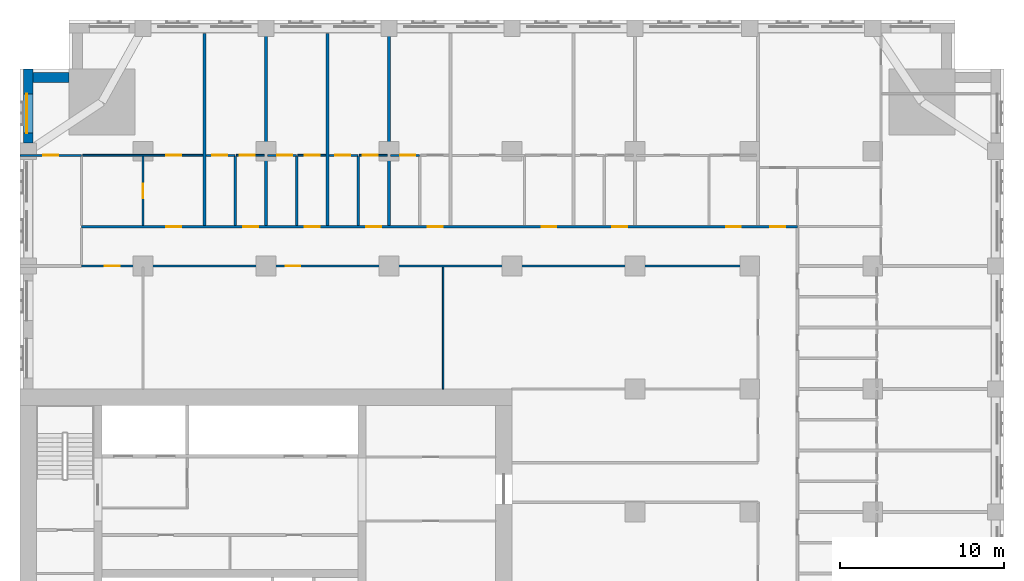
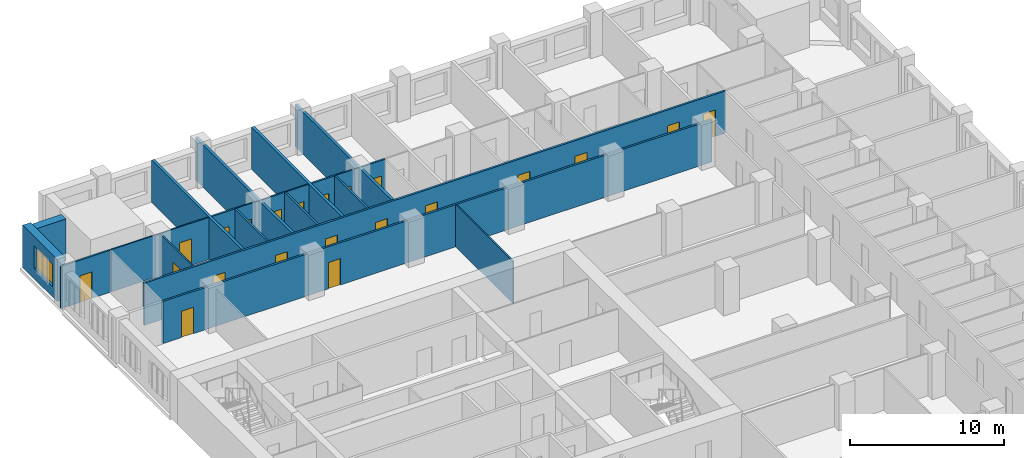
# One storey, part 9 of 15: 22 walls, 21 doors, 1 window, 22 openings.
"""IFC4 building model written with IfcOpenShell, lengths in metres."""

from ifc_helpers import new_model, si_unit, direction, frame, frame_2d, origin, place, context, subcontext, project, spatial, rectangle, extrude, material, layer, layer_set, type_object, element, fill, save


model = new_model("IFC4")

# Units and contexts
model_context = context("Model", 3, precision=1e-05, world=origin(), true_north=direction((0.0, 1.0)))
body_context = subcontext(model_context, "Body", "Model", "MODEL_VIEW")
ifc_project = project(units=[si_unit("LENGTHUNIT", "METRE"), si_unit("AREAUNIT", "SQUARE_METRE"), si_unit("VOLUMEUNIT", "CUBIC_METRE"), si_unit("PLANEANGLEUNIT", "RADIAN"), si_unit("MASSUNIT", "GRAM", prefix="KILO")], contexts=[model_context])

# Site, building, storey
site_placement = place(None, origin())
site = spatial("IfcSite", under=ifc_project, at=site_placement, CompositionType="ELEMENT")
building_placement = place(site_placement, origin())
building = spatial("IfcBuilding", under=site, at=building_placement, Name="Tamorin Gate", CompositionType="ELEMENT")
storey_placement = place(building_placement, frame((0.0, 0.0, 48.39990234375)))
storey = spatial("IfcBuildingStorey", under=building, at=storey_placement, Name="L10", CompositionType="ELEMENT", Elevation=48.39990234375)

# Wall
ifc_material_1 = material(Name="Precast concrete C40/50", Category="concrete")
ifc_layer_1 = layer(ifc_material_1, 0.60009765625)
ifc_layer_set_1 = layer_set([ifc_layer_1], Name="Precast concrete C40/50")
wall_type_1 = type_object("IfcWallType", Name="Board-marked concrete facade panel 600", PredefinedType="SOLIDWALL", material=ifc_layer_set_1)
wall_1_placement = place(storey_placement, frame((33.0, 101.5, 0.0), z_axis=(0.0, 0.0, 1.0), x_axis=(-1.0, 0.0, 0.0)))
element("IfcWall", 1, at=wall_1_placement, inside=storey, type_object=wall_type_1, Name="Facade panel", PredefinedType="SOLIDWALL", context=body_context, shape_type="SweptSolid", body=[
    extrude(rectangle(XDim=2.199951171875, YDim=0.60009765625, at=frame_2d((1.10009765625, 0.0))), origin(), (0.0, 0.0, 1.0), 3.35009765625),
])

# Wall, opening, window
wall_2_placement = place(storey_placement, frame((30.5, 102.0, 0.0), z_axis=(0.0, 0.0, 1.0), x_axis=(0.0, -1.0, 0.0)))
wall_2 = element("IfcWall", 2, at=wall_2_placement, inside=storey, type_object=wall_type_1, Name="Facade panel", PredefinedType="SOLIDWALL", context=body_context, shape_type="SweptSolid", body=[
    extrude(rectangle(XDim=4.5, YDim=0.60009765625, at=frame_2d((2.25, 0.0))), origin(), (0.0, 0.0, 1.0), 3.35009765625),
])
opening_1_placement = place(wall_2_placement, frame((1.5, 0.0, 0.800048828125)))
opening_1 = element("IfcOpeningElement", 3, at=opening_1_placement, cuts=wall_2, Name="Opening WN1", PredefinedType="OPENING", context=body_context, shape_type="SweptSolid", body=[
    extrude(rectangle(XDim=2.39990234375, YDim=1.800048828125, at=frame_2d((1.199951171875, 0.89990234375))), frame((0.0, 0.31005859375, 0.0), z_axis=(0.0, -1.0, 0.0), x_axis=(1.0, 0.0, 0.0)), (0.0, 0.0, 1.0), 0.6201171875),
])
ifc_material_2 = material(Name="Clear glass in aluminium frame", Category="aluminium")
window_type = type_object("IfcWindowType", Name="Deep-set window 2400x1800", PartitioningType="SINGLE_PANEL", PredefinedType="WINDOW", material=ifc_material_2)
window_placement = place(opening_1_placement, origin())
window = element("IfcWindow", 4, at=window_placement, inside=storey, type_object=window_type, Name="Deep-set window", OverallHeight=1.800048828125, OverallWidth=2.39990234375, PartitioningType="SINGLE_PANEL", PredefinedType="WINDOW", context=body_context, shape_type="SweptSolid", body=[
    extrude(rectangle(XDim=2.39990234375, YDim=1.800048828125, at=frame_2d((1.199951171875, 0.89990234375))), frame((0.0, -0.070068359375, 0.0), z_axis=(0.0, -1.0, 0.0), x_axis=(1.0, 0.0, 0.0)), (0.0, 0.0, 1.0), 0.06005859375),
])
fill(opening_1, window)

# Wall, openings, doors
ifc_material_3 = material(Name="Gypsum board partition")
ifc_layer_2 = layer(ifc_material_3, 0.14990234375)
ifc_layer_set_2 = layer_set([ifc_layer_2], Name="Corridor wall 150")
wall_type_2 = type_object("IfcWallType", Name="Corridor wall 150", PredefinedType="PARTITIONING", material=ifc_layer_set_2)
wall_3_placement = place(storey_placement, frame((33.75, 90.0, 0.0), z_axis=(0.0, 0.0, 1.0), x_axis=(1.0, 0.0, 0.0)))
wall_3 = element("IfcWall", 5, at=wall_3_placement, inside=storey, type_object=wall_type_2, Name="Corridor wall 150", PredefinedType="PARTITIONING", context=body_context, shape_type="SweptSolid", body=[
    extrude(rectangle(XDim=41.25, YDim=0.14990234375, at=frame_2d((20.625, 0.0))), origin(), (0.0, 0.0, 1.0), 3.35009765625),
])
opening_2_placement = place(wall_3_placement, frame((1.425048828125, 0.0, 0.0)))
opening_2 = element("IfcOpeningElement", 6, at=opening_2_placement, cuts=wall_3, Name="Opening DH1097", PredefinedType="OPENING", context=body_context, shape_type="SweptSolid", body=[
    extrude(rectangle(XDim=0.89990234375, YDim=2.10009765625, at=frame_2d((0.449951171875, 1.050048828125))), frame((0.0, 0.0849609375, 0.0), z_axis=(0.0, -1.0, 0.0), x_axis=(1.0, 0.0, 0.0)), (0.0, 0.0, 1.0), 0.169921875),
])
opening_3_placement = place(wall_3_placement, frame((12.449951171875, 0.0, 0.0)))
opening_3 = element("IfcOpeningElement", 7, at=opening_3_placement, cuts=wall_3, Name="Opening DH1098", PredefinedType="OPENING", context=body_context, shape_type="SweptSolid", body=[
    extrude(rectangle(XDim=0.89990234375, YDim=2.10009765625, at=frame_2d((0.449951171875, 1.050048828125))), frame((0.0, 0.0849609375, 0.0), z_axis=(0.0, -1.0, 0.0), x_axis=(1.0, 0.0, 0.0)), (0.0, 0.0, 1.0), 0.169921875),
])
ifc_material_4 = material(Name="Timber door leaf", Category="wood")
door_type_1 = type_object("IfcDoorType", Name="Door 900 x 2100 FD30S", OperationType="NOTDEFINED", PredefinedType="DOOR", material=ifc_material_4)
door_1_placement = place(opening_2_placement, origin())
door_1 = element("IfcDoor", 8, at=door_1_placement, inside=storey, type_object=door_type_1, Name="Door DH1097", OperationType="SINGLE_SWING_RIGHT", OverallHeight=2.10009765625, OverallWidth=0.89990234375, PredefinedType="DOOR", context=body_context, shape_type="SweptSolid", body=[
    extrude(rectangle(XDim=0.89990234375, YDim=2.10009765625, at=frame_2d((0.449951171875, 1.050048828125))), frame((0.0, 0.02490234375, 0.0), z_axis=(0.0, -1.0, 0.0), x_axis=(1.0, 0.0, 0.0)), (0.0, 0.0, 1.0), 0.050048828125),
])
fill(opening_2, door_1)
door_2_placement = place(opening_3_placement, origin())
door_2 = element("IfcDoor", 9, at=door_2_placement, inside=storey, type_object=door_type_1, Name="Door DH1098", OperationType="SINGLE_SWING_RIGHT", OverallHeight=2.10009765625, OverallWidth=0.89990234375, PredefinedType="DOOR", context=body_context, shape_type="SweptSolid", body=[
    extrude(rectangle(XDim=0.89990234375, YDim=2.10009765625, at=frame_2d((0.449951171875, 1.050048828125))), frame((0.0, 0.02490234375, 0.0), z_axis=(0.0, -1.0, 0.0), x_axis=(1.0, 0.0, 0.0)), (0.0, 0.0, 1.0), 0.050048828125),
])
fill(opening_3, door_2)

wall_4_placement = place(storey_placement, frame((33.75, 92.39990234375, 0.0), z_axis=(0.0, 0.0, 1.0), x_axis=(1.0, 0.0, 0.0)))
wall_4 = element("IfcWall", 10, at=wall_4_placement, inside=storey, type_object=wall_type_2, Name="Corridor wall 150", PredefinedType="PARTITIONING", context=body_context, shape_type="SweptSolid", body=[
    extrude(rectangle(XDim=43.64990234375, YDim=0.14990234375, at=frame_2d((21.824951171875, 0.0))), origin(), (0.0, 0.0, 1.0), 3.35009765625),
])
opening_4_placement = place(wall_4_placement, frame((5.175048828125, 0.0, 0.0)))
opening_4 = element("IfcOpeningElement", 11, at=opening_4_placement, cuts=wall_4, Name="Opening DH1028", PredefinedType="OPENING", context=body_context, shape_type="SweptSolid", body=[
    extrude(rectangle(XDim=0.89990234375, YDim=2.10009765625, at=frame_2d((0.449951171875, 1.050048828125))), frame((0.0, 0.0849609375, 0.0), z_axis=(0.0, -1.0, 0.0), x_axis=(1.0, 0.0, 0.0)), (0.0, 0.0, 1.0), 0.169921875),
])
opening_5_placement = place(wall_4_placement, frame((9.862548828125, 0.0, 0.0)))
opening_5 = element("IfcOpeningElement", 12, at=opening_5_placement, cuts=wall_4, Name="Opening DH1031", PredefinedType="OPENING", context=body_context, shape_type="SweptSolid", body=[
    extrude(rectangle(XDim=0.89990234375, YDim=2.10009765625, at=frame_2d((0.449951171875, 1.050048828125))), frame((0.0, 0.0849609375, 0.0), z_axis=(0.0, -1.0, 0.0), x_axis=(1.0, 0.0, 0.0)), (0.0, 0.0, 1.0), 0.169921875),
])
opening_6_placement = place(wall_4_placement, frame((13.612548828125, 0.0, 0.0)))
opening_6 = element("IfcOpeningElement", 13, at=opening_6_placement, cuts=wall_4, Name="Opening DH1034", PredefinedType="OPENING", context=body_context, shape_type="SweptSolid", body=[
    extrude(rectangle(XDim=0.89990234375, YDim=2.10009765625, at=frame_2d((0.449951171875, 1.050048828125))), frame((0.0, 0.0849609375, 0.0), z_axis=(0.0, -1.0, 0.0), x_axis=(1.0, 0.0, 0.0)), (0.0, 0.0, 1.0), 0.169921875),
])
opening_7_placement = place(wall_4_placement, frame((17.362548828125, 0.0, 0.0)))
opening_7 = element("IfcOpeningElement", 14, at=opening_7_placement, cuts=wall_4, Name="Opening DH1037", PredefinedType="OPENING", context=body_context, shape_type="SweptSolid", body=[
    extrude(rectangle(XDim=0.89990234375, YDim=2.10009765625, at=frame_2d((0.449951171875, 1.050048828125))), frame((0.0, 0.0849609375, 0.0), z_axis=(0.0, -1.0, 0.0), x_axis=(1.0, 0.0, 0.0)), (0.0, 0.0, 1.0), 0.169921875),
])
opening_8_placement = place(wall_4_placement, frame((21.112548828125, 0.0, 0.0)))
opening_8 = element("IfcOpeningElement", 15, at=opening_8_placement, cuts=wall_4, Name="Opening DH1040", PredefinedType="OPENING", context=body_context, shape_type="SweptSolid", body=[
    extrude(rectangle(XDim=0.89990234375, YDim=2.10009765625, at=frame_2d((0.449951171875, 1.050048828125))), frame((0.0, 0.0849609375, 0.0), z_axis=(0.0, -1.0, 0.0), x_axis=(1.0, 0.0, 0.0)), (0.0, 0.0, 1.0), 0.169921875),
])
opening_9_placement = place(wall_4_placement, frame((28.050048828125, 0.0, 0.0)))
opening_9 = element("IfcOpeningElement", 16, at=opening_9_placement, cuts=wall_4, Name="Opening DH1043", PredefinedType="OPENING", context=body_context, shape_type="SweptSolid", body=[
    extrude(rectangle(XDim=0.89990234375, YDim=2.10009765625, at=frame_2d((0.449951171875, 1.050048828125))), frame((0.0, 0.0849609375, 0.0), z_axis=(0.0, -1.0, 0.0), x_axis=(1.0, 0.0, 0.0)), (0.0, 0.0, 1.0), 0.169921875),
])
opening_10_placement = place(wall_4_placement, frame((32.362548828125, 0.0, 0.0)))
opening_10 = element("IfcOpeningElement", 17, at=opening_10_placement, cuts=wall_4, Name="Opening DH1046", PredefinedType="OPENING", context=body_context, shape_type="SweptSolid", body=[
    extrude(rectangle(XDim=0.89990234375, YDim=2.10009765625, at=frame_2d((0.449951171875, 1.050048828125))), frame((0.0, 0.0849609375, 0.0), z_axis=(0.0, -1.0, 0.0), x_axis=(1.0, 0.0, 0.0)), (0.0, 0.0, 1.0), 0.169921875),
])
opening_11_placement = place(wall_4_placement, frame((39.300048828125, 0.0, 0.0)))
opening_11 = element("IfcOpeningElement", 18, at=opening_11_placement, cuts=wall_4, Name="Opening DH1049", PredefinedType="OPENING", context=body_context, shape_type="SweptSolid", body=[
    extrude(rectangle(XDim=0.89990234375, YDim=2.10009765625, at=frame_2d((0.449951171875, 1.050048828125))), frame((0.0, 0.0849609375, 0.0), z_axis=(0.0, -1.0, 0.0), x_axis=(1.0, 0.0, 0.0)), (0.0, 0.0, 1.0), 0.169921875),
])
opening_12_placement = place(wall_4_placement, frame((42.0, 0.0, 0.0)))
opening_12 = element("IfcOpeningElement", 19, at=opening_12_placement, cuts=wall_4, Name="Opening DH1087", PredefinedType="OPENING", context=body_context, shape_type="SweptSolid", body=[
    extrude(rectangle(XDim=0.89990234375, YDim=2.10009765625, at=frame_2d((0.449951171875, 1.050048828125))), frame((0.0, 0.0849609375, 0.0), z_axis=(0.0, -1.0, 0.0), x_axis=(1.0, 0.0, 0.0)), (0.0, 0.0, 1.0), 0.169921875),
])
door_3_placement = place(opening_4_placement, origin())
door_3 = element("IfcDoor", 20, at=door_3_placement, inside=storey, type_object=door_type_1, Name="Door DH1028", OperationType="SINGLE_SWING_LEFT", OverallHeight=2.10009765625, OverallWidth=0.89990234375, PredefinedType="DOOR", context=body_context, shape_type="SweptSolid", body=[
    extrude(rectangle(XDim=0.89990234375, YDim=2.10009765625, at=frame_2d((0.449951171875, 1.050048828125))), frame((0.0, 0.02490234375, 0.0), z_axis=(0.0, -1.0, 0.0), x_axis=(1.0, 0.0, 0.0)), (0.0, 0.0, 1.0), 0.050048828125),
])
fill(opening_4, door_3)
door_4_placement = place(opening_5_placement, origin())
door_4 = element("IfcDoor", 21, at=door_4_placement, inside=storey, type_object=door_type_1, Name="Door DH1031", OperationType="SINGLE_SWING_LEFT", OverallHeight=2.10009765625, OverallWidth=0.89990234375, PredefinedType="DOOR", context=body_context, shape_type="SweptSolid", body=[
    extrude(rectangle(XDim=0.89990234375, YDim=2.10009765625, at=frame_2d((0.449951171875, 1.050048828125))), frame((0.0, 0.02490234375, 0.0), z_axis=(0.0, -1.0, 0.0), x_axis=(1.0, 0.0, 0.0)), (0.0, 0.0, 1.0), 0.050048828125),
])
fill(opening_5, door_4)
door_5_placement = place(opening_6_placement, origin())
door_5 = element("IfcDoor", 22, at=door_5_placement, inside=storey, type_object=door_type_1, Name="Door DH1034", OperationType="SINGLE_SWING_LEFT", OverallHeight=2.10009765625, OverallWidth=0.89990234375, PredefinedType="DOOR", context=body_context, shape_type="SweptSolid", body=[
    extrude(rectangle(XDim=0.89990234375, YDim=2.10009765625, at=frame_2d((0.449951171875, 1.050048828125))), frame((0.0, 0.02490234375, 0.0), z_axis=(0.0, -1.0, 0.0), x_axis=(1.0, 0.0, 0.0)), (0.0, 0.0, 1.0), 0.050048828125),
])
fill(opening_6, door_5)
door_6_placement = place(opening_7_placement, origin())
door_6 = element("IfcDoor", 23, at=door_6_placement, inside=storey, type_object=door_type_1, Name="Door DH1037", OperationType="SINGLE_SWING_LEFT", OverallHeight=2.10009765625, OverallWidth=0.89990234375, PredefinedType="DOOR", context=body_context, shape_type="SweptSolid", body=[
    extrude(rectangle(XDim=0.89990234375, YDim=2.10009765625, at=frame_2d((0.449951171875, 1.050048828125))), frame((0.0, 0.02490234375, 0.0), z_axis=(0.0, -1.0, 0.0), x_axis=(1.0, 0.0, 0.0)), (0.0, 0.0, 1.0), 0.050048828125),
])
fill(opening_7, door_6)
door_7_placement = place(opening_8_placement, origin())
door_7 = element("IfcDoor", 24, at=door_7_placement, inside=storey, type_object=door_type_1, Name="Door DH1040", OperationType="SINGLE_SWING_LEFT", OverallHeight=2.10009765625, OverallWidth=0.89990234375, PredefinedType="DOOR", context=body_context, shape_type="SweptSolid", body=[
    extrude(rectangle(XDim=0.89990234375, YDim=2.10009765625, at=frame_2d((0.449951171875, 1.050048828125))), frame((0.0, 0.02490234375, 0.0), z_axis=(0.0, -1.0, 0.0), x_axis=(1.0, 0.0, 0.0)), (0.0, 0.0, 1.0), 0.050048828125),
])
fill(opening_8, door_7)
door_8_placement = place(opening_9_placement, origin())
door_8 = element("IfcDoor", 25, at=door_8_placement, inside=storey, type_object=door_type_1, Name="Door DH1043", OperationType="SINGLE_SWING_LEFT", OverallHeight=2.10009765625, OverallWidth=0.89990234375, PredefinedType="DOOR", context=body_context, shape_type="SweptSolid", body=[
    extrude(rectangle(XDim=0.89990234375, YDim=2.10009765625, at=frame_2d((0.449951171875, 1.050048828125))), frame((0.0, 0.02490234375, 0.0), z_axis=(0.0, -1.0, 0.0), x_axis=(1.0, 0.0, 0.0)), (0.0, 0.0, 1.0), 0.050048828125),
])
fill(opening_9, door_8)
door_9_placement = place(opening_10_placement, origin())
door_9 = element("IfcDoor", 26, at=door_9_placement, inside=storey, type_object=door_type_1, Name="Door DH1046", OperationType="SINGLE_SWING_LEFT", OverallHeight=2.10009765625, OverallWidth=0.89990234375, PredefinedType="DOOR", context=body_context, shape_type="SweptSolid", body=[
    extrude(rectangle(XDim=0.89990234375, YDim=2.10009765625, at=frame_2d((0.449951171875, 1.050048828125))), frame((0.0, 0.02490234375, 0.0), z_axis=(0.0, -1.0, 0.0), x_axis=(1.0, 0.0, 0.0)), (0.0, 0.0, 1.0), 0.050048828125),
])
fill(opening_10, door_9)
door_10_placement = place(opening_11_placement, origin())
door_10 = element("IfcDoor", 27, at=door_10_placement, inside=storey, type_object=door_type_1, Name="Door DH1049", OperationType="SINGLE_SWING_LEFT", OverallHeight=2.10009765625, OverallWidth=0.89990234375, PredefinedType="DOOR", context=body_context, shape_type="SweptSolid", body=[
    extrude(rectangle(XDim=0.89990234375, YDim=2.10009765625, at=frame_2d((0.449951171875, 1.050048828125))), frame((0.0, 0.02490234375, 0.0), z_axis=(0.0, -1.0, 0.0), x_axis=(1.0, 0.0, 0.0)), (0.0, 0.0, 1.0), 0.050048828125),
])
fill(opening_11, door_10)
door_11_placement = place(opening_12_placement, origin())
door_11 = element("IfcDoor", 28, at=door_11_placement, inside=storey, type_object=door_type_1, Name="Door DH1087", OperationType="SINGLE_SWING_RIGHT", OverallHeight=2.10009765625, OverallWidth=0.89990234375, PredefinedType="DOOR", context=body_context, shape_type="SweptSolid", body=[
    extrude(rectangle(XDim=0.89990234375, YDim=2.10009765625, at=frame_2d((0.449951171875, 1.050048828125))), frame((0.0, 0.02490234375, 0.0), z_axis=(0.0, -1.0, 0.0), x_axis=(1.0, 0.0, 0.0)), (0.0, 0.0, 1.0), 0.050048828125),
])
fill(opening_12, door_11)

# Walls
ifc_layer_3 = layer(ifc_material_3, 0.199951171875)
ifc_layer_set_3 = layer_set([ifc_layer_3], Name="Demising wall 200")
wall_type_3 = type_object("IfcWallType", Name="Demising wall 200", PredefinedType="PARTITIONING", material=ifc_layer_set_3)
wall_5_placement = place(storey_placement, frame((41.25, 92.47509765625, 0.0), z_axis=(0.0, 0.0, 1.0), x_axis=(0.0, 1.0, 0.0)))
element("IfcWall", 29, at=wall_5_placement, inside=storey, type_object=wall_type_3, Name="Demising wall 200", PredefinedType="PARTITIONING", context=body_context, shape_type="SweptSolid", body=[
    extrude(rectangle(XDim=11.71484375, YDim=0.199951171875, at=frame_2d((5.857421875, 0.0))), origin(), (0.0, 0.0, 1.0), 3.35009765625),
])
wall_6_placement = place(storey_placement, frame((45.0, 92.47509765625, 0.0), z_axis=(0.0, 0.0, 1.0), x_axis=(0.0, 1.0, 0.0)))
element("IfcWall", 30, at=wall_6_placement, inside=storey, type_object=wall_type_3, Name="Demising wall 200", PredefinedType="PARTITIONING", context=body_context, shape_type="SweptSolid", body=[
    extrude(rectangle(XDim=12.52490234375, YDim=0.199951171875, at=frame_2d((6.262451171875, 0.0))), origin(), (0.0, 0.0, 1.0), 3.35009765625),
])
wall_7_placement = place(storey_placement, frame((48.75, 92.47509765625, 0.0), z_axis=(0.0, 0.0, 1.0), x_axis=(0.0, 1.0, 0.0)))
element("IfcWall", 31, at=wall_7_placement, inside=storey, type_object=wall_type_3, Name="Demising wall 200", PredefinedType="PARTITIONING", context=body_context, shape_type="SweptSolid", body=[
    extrude(rectangle(XDim=11.71484375, YDim=0.199951171875, at=frame_2d((5.857421875, 0.0))), origin(), (0.0, 0.0, 1.0), 3.35009765625),
])
wall_8_placement = place(storey_placement, frame((52.5, 92.47509765625, 0.0), z_axis=(0.0, 0.0, 1.0), x_axis=(0.0, 1.0, 0.0)))
element("IfcWall", 32, at=wall_8_placement, inside=storey, type_object=wall_type_3, Name="Demising wall 200", PredefinedType="PARTITIONING", context=body_context, shape_type="SweptSolid", body=[
    extrude(rectangle(XDim=12.52490234375, YDim=0.199951171875, at=frame_2d((6.262451171875, 0.0))), origin(), (0.0, 0.0, 1.0), 3.35009765625),
])

# Wall, opening, door
ifc_layer_4 = layer(ifc_material_3, 0.10009765625)
ifc_layer_set_4 = layer_set([ifc_layer_4], Name="Room partition 100")
wall_type_4 = type_object("IfcWallType", Name="Room partition 100", PredefinedType="PARTITIONING", material=ifc_layer_set_4)
wall_9_placement = place(storey_placement, frame((33.8125, 96.75, 0.0), z_axis=(0.0, 0.0, 1.0), x_axis=(1.0, 0.0, 0.0)))
wall_9 = element("IfcWall", 33, at=wall_9_placement, inside=storey, type_object=wall_type_4, Name="Room partition 100", PredefinedType="PARTITIONING", context=body_context, shape_type="SweptSolid", body=[
    extrude(rectangle(XDim=7.33740234375, YDim=0.10009765625, at=frame_2d((3.668701171875, 0.0))), origin(), (0.0, 0.0, 1.0), 3.35009765625),
])
opening_13_placement = place(wall_9_placement, frame((5.112548828125, 0.0, 0.0)))
opening_13 = element("IfcOpeningElement", 34, at=opening_13_placement, cuts=wall_9, Name="Opening DH1029", PredefinedType="OPENING", context=body_context, shape_type="SweptSolid", body=[
    extrude(rectangle(XDim=0.89990234375, YDim=2.10009765625, at=frame_2d((0.449951171875, 1.050048828125))), frame((0.0, 0.06005859375, 0.0), z_axis=(0.0, -1.0, 0.0), x_axis=(1.0, 0.0, 0.0)), (0.0, 0.0, 1.0), 0.1201171875),
])
door_type_2 = type_object("IfcDoorType", Name="Door 900 x 2100", OperationType="NOTDEFINED", PredefinedType="DOOR", material=ifc_material_4)
door_12_placement = place(opening_13_placement, origin())
door_12 = element("IfcDoor", 35, at=door_12_placement, inside=storey, type_object=door_type_2, Name="Door DH1029", OperationType="SINGLE_SWING_RIGHT", OverallHeight=2.10009765625, OverallWidth=0.89990234375, PredefinedType="DOOR", context=body_context, shape_type="SweptSolid", body=[
    extrude(rectangle(XDim=0.89990234375, YDim=2.10009765625, at=frame_2d((0.449951171875, 1.050048828125))), frame((0.0, 0.02490234375, 0.0), z_axis=(0.0, -1.0, 0.0), x_axis=(1.0, 0.0, 0.0)), (0.0, 0.0, 1.0), 0.050048828125),
])
fill(opening_13, door_12)

wall_10_placement = place(storey_placement, frame((43.1875, 96.75, 0.0), z_axis=(0.0, 0.0, 1.0), x_axis=(1.0, 0.0, 0.0)))
wall_10 = element("IfcWall", 36, at=wall_10_placement, inside=storey, type_object=wall_type_4, Name="Room partition 100", PredefinedType="PARTITIONING", context=body_context, shape_type="SweptSolid", body=[
    extrude(rectangle(XDim=1.71240234375, YDim=0.10009765625, at=frame_2d((0.856201171875, 0.0))), origin(), (0.0, 0.0, 1.0), 3.35009765625),
])
opening_14_placement = place(wall_10_placement, frame((0.22509765625, 0.0, 0.0)))
opening_14 = element("IfcOpeningElement", 37, at=opening_14_placement, cuts=wall_10, Name="Opening DH1032", PredefinedType="OPENING", context=body_context, shape_type="SweptSolid", body=[
    extrude(rectangle(XDim=0.89990234375, YDim=2.10009765625, at=frame_2d((0.449951171875, 1.050048828125))), frame((0.0, 0.06005859375, 0.0), z_axis=(0.0, -1.0, 0.0), x_axis=(1.0, 0.0, 0.0)), (0.0, 0.0, 1.0), 0.1201171875),
])
door_13_placement = place(opening_14_placement, origin())
door_13 = element("IfcDoor", 38, at=door_13_placement, inside=storey, type_object=door_type_2, Name="Door DH1032", OperationType="SINGLE_SWING_RIGHT", OverallHeight=2.10009765625, OverallWidth=0.89990234375, PredefinedType="DOOR", context=body_context, shape_type="SweptSolid", body=[
    extrude(rectangle(XDim=0.89990234375, YDim=2.10009765625, at=frame_2d((0.449951171875, 1.050048828125))), frame((0.0, 0.02490234375, 0.0), z_axis=(0.0, -1.0, 0.0), x_axis=(1.0, 0.0, 0.0)), (0.0, 0.0, 1.0), 0.050048828125),
])
fill(opening_14, door_13)

wall_11_placement = place(storey_placement, frame((46.9375, 96.75, 0.0), z_axis=(0.0, 0.0, 1.0), x_axis=(1.0, 0.0, 0.0)))
wall_11 = element("IfcWall", 39, at=wall_11_placement, inside=storey, type_object=wall_type_4, Name="Room partition 100", PredefinedType="PARTITIONING", context=body_context, shape_type="SweptSolid", body=[
    extrude(rectangle(XDim=1.71240234375, YDim=0.10009765625, at=frame_2d((0.856201171875, 0.0))), origin(), (0.0, 0.0, 1.0), 3.35009765625),
])
opening_15_placement = place(wall_11_placement, frame((0.425048828125, 0.0, 0.0)))
opening_15 = element("IfcOpeningElement", 40, at=opening_15_placement, cuts=wall_11, Name="Opening DH1035", PredefinedType="OPENING", context=body_context, shape_type="SweptSolid", body=[
    extrude(rectangle(XDim=0.89990234375, YDim=2.10009765625, at=frame_2d((0.449951171875, 1.050048828125))), frame((0.0, 0.06005859375, 0.0), z_axis=(0.0, -1.0, 0.0), x_axis=(1.0, 0.0, 0.0)), (0.0, 0.0, 1.0), 0.1201171875),
])
door_14_placement = place(opening_15_placement, origin())
door_14 = element("IfcDoor", 41, at=door_14_placement, inside=storey, type_object=door_type_2, Name="Door DH1035", OperationType="SINGLE_SWING_RIGHT", OverallHeight=2.10009765625, OverallWidth=0.89990234375, PredefinedType="DOOR", context=body_context, shape_type="SweptSolid", body=[
    extrude(rectangle(XDim=0.89990234375, YDim=2.10009765625, at=frame_2d((0.449951171875, 1.050048828125))), frame((0.0, 0.02490234375, 0.0), z_axis=(0.0, -1.0, 0.0), x_axis=(1.0, 0.0, 0.0)), (0.0, 0.0, 1.0), 0.050048828125),
])
fill(opening_15, door_14)

wall_12_placement = place(storey_placement, frame((50.6875, 96.75, 0.0), z_axis=(0.0, 0.0, 1.0), x_axis=(1.0, 0.0, 0.0)))
wall_12 = element("IfcWall", 42, at=wall_12_placement, inside=storey, type_object=wall_type_4, Name="Room partition 100", PredefinedType="PARTITIONING", context=body_context, shape_type="SweptSolid", body=[
    extrude(rectangle(XDim=1.71240234375, YDim=0.10009765625, at=frame_2d((0.856201171875, 0.0))), origin(), (0.0, 0.0, 1.0), 3.35009765625),
])
opening_16_placement = place(wall_12_placement, frame((0.22509765625, 0.0, 0.0)))
opening_16 = element("IfcOpeningElement", 43, at=opening_16_placement, cuts=wall_12, Name="Opening DH1038", PredefinedType="OPENING", context=body_context, shape_type="SweptSolid", body=[
    extrude(rectangle(XDim=0.89990234375, YDim=2.10009765625, at=frame_2d((0.449951171875, 1.050048828125))), frame((0.0, 0.06005859375, 0.0), z_axis=(0.0, -1.0, 0.0), x_axis=(1.0, 0.0, 0.0)), (0.0, 0.0, 1.0), 0.1201171875),
])
door_15_placement = place(opening_16_placement, origin())
door_15 = element("IfcDoor", 44, at=door_15_placement, inside=storey, type_object=door_type_2, Name="Door DH1038", OperationType="SINGLE_SWING_RIGHT", OverallHeight=2.10009765625, OverallWidth=0.89990234375, PredefinedType="DOOR", context=body_context, shape_type="SweptSolid", body=[
    extrude(rectangle(XDim=0.89990234375, YDim=2.10009765625, at=frame_2d((0.449951171875, 1.050048828125))), frame((0.0, 0.02490234375, 0.0), z_axis=(0.0, -1.0, 0.0), x_axis=(1.0, 0.0, 0.0)), (0.0, 0.0, 1.0), 0.050048828125),
])
fill(opening_16, door_15)

wall_13_placement = place(storey_placement, frame((37.5, 92.47509765625, 0.0), z_axis=(0.0, 0.0, 1.0), x_axis=(0.0, 1.0, 0.0)))
wall_13 = element("IfcWall", 45, at=wall_13_placement, inside=storey, type_object=wall_type_4, Name="Room partition 100", PredefinedType="PARTITIONING", context=body_context, shape_type="SweptSolid", body=[
    extrude(rectangle(XDim=4.224853515625, YDim=0.10009765625, at=frame_2d((2.1123046875, 0.0))), origin(), (0.0, 0.0, 1.0), 3.35009765625),
])
opening_17_placement = place(wall_13_placement, frame((1.64990234375, 0.0, 0.0)))
opening_17 = element("IfcOpeningElement", 46, at=opening_17_placement, cuts=wall_13, Name="Opening DH1027", PredefinedType="OPENING", context=body_context, shape_type="SweptSolid", body=[
    extrude(rectangle(XDim=0.89990234375, YDim=2.10009765625, at=frame_2d((0.449951171875, 1.050048828125))), frame((0.0, 0.06005859375, 0.0), z_axis=(0.0, -1.0, 0.0), x_axis=(1.0, 0.0, 0.0)), (0.0, 0.0, 1.0), 0.1201171875),
])
door_16_placement = place(opening_17_placement, origin())
door_16 = element("IfcDoor", 47, at=door_16_placement, inside=storey, type_object=door_type_2, Name="Door DH1027", OperationType="SINGLE_SWING_RIGHT", OverallHeight=2.10009765625, OverallWidth=0.89990234375, PredefinedType="DOOR", context=body_context, shape_type="SweptSolid", body=[
    extrude(rectangle(XDim=0.89990234375, YDim=2.10009765625, at=frame_2d((0.449951171875, 1.050048828125))), frame((0.0, 0.02490234375, 0.0), z_axis=(0.0, -1.0, 0.0), x_axis=(1.0, 0.0, 0.0)), (0.0, 0.0, 1.0), 0.050048828125),
])
fill(opening_17, door_16)

# Wall
wall_14_placement = place(storey_placement, frame((55.800048828125, 82.5, 0.0), z_axis=(0.0, 0.0, 1.0), x_axis=(0.0, 1.0, 0.0)))
element("IfcWall", 48, at=wall_14_placement, inside=storey, type_object=wall_type_4, Name="Room partition 100", PredefinedType="PARTITIONING", context=body_context, shape_type="SweptSolid", body=[
    extrude(rectangle(XDim=7.425048828125, YDim=0.10009765625, at=frame_2d((3.71240234375, 0.0))), origin(), (0.0, 0.0, 1.0), 3.35009765625),
])

# Wall, opening, door
ifc_layer_5 = layer(ifc_material_3, 0.125)
ifc_layer_set_5 = layer_set([ifc_layer_5], Name="Wet wall 125")
wall_type_5 = type_object("IfcWallType", Name="Wet wall 125", PredefinedType="PARTITIONING", material=ifc_layer_set_5)
wall_15_placement = place(storey_placement, frame((30.0, 96.75, 0.0), z_axis=(0.0, 0.0, 1.0), x_axis=(1.0, 0.0, 0.0)))
wall_15 = element("IfcWall", 49, at=wall_15_placement, inside=storey, type_object=wall_type_5, Name="Wet wall 125", PredefinedType="PARTITIONING", context=body_context, shape_type="SweptSolid", body=[
    extrude(rectangle(XDim=3.75, YDim=0.125, at=frame_2d((1.875, 0.0))), origin(), (0.0, 0.0, 1.0), 3.35009765625),
])
opening_18_placement = place(wall_15_placement, frame((1.425048828125, 0.0, 0.0)))
opening_18 = element("IfcOpeningElement", 50, at=opening_18_placement, cuts=wall_15, Name="Opening DH1026", PredefinedType="OPENING", context=body_context, shape_type="SweptSolid", body=[
    extrude(rectangle(XDim=0.89990234375, YDim=2.10009765625, at=frame_2d((0.449951171875, 1.050048828125))), frame((0.0, 0.072509765625, 0.0), z_axis=(0.0, -1.0, 0.0), x_axis=(1.0, 0.0, 0.0)), (0.0, 0.0, 1.0), 0.14501953125),
])
door_17_placement = place(opening_18_placement, origin())
door_17 = element("IfcDoor", 51, at=door_17_placement, inside=storey, type_object=door_type_2, Name="Door DH1026", OperationType="SINGLE_SWING_RIGHT", OverallHeight=2.10009765625, OverallWidth=0.89990234375, PredefinedType="DOOR", context=body_context, shape_type="SweptSolid", body=[
    extrude(rectangle(XDim=0.89990234375, YDim=2.10009765625, at=frame_2d((0.449951171875, 1.050048828125))), frame((0.0, 0.02490234375, 0.0), z_axis=(0.0, -1.0, 0.0), x_axis=(1.0, 0.0, 0.0)), (0.0, 0.0, 1.0), 0.050048828125),
])
fill(opening_18, door_17)

wall_16_placement = place(storey_placement, frame((41.35009765625, 96.75, 0.0), z_axis=(0.0, 0.0, 1.0), x_axis=(1.0, 0.0, 0.0)))
wall_16 = element("IfcWall", 52, at=wall_16_placement, inside=storey, type_object=wall_type_5, Name="Wet wall 125", PredefinedType="PARTITIONING", context=body_context, shape_type="SweptSolid", body=[
    extrude(rectangle(XDim=1.77490234375, YDim=0.125, at=frame_2d((0.887451171875, 0.0))), origin(), (0.0, 0.0, 1.0), 3.35009765625),
])
opening_19_placement = place(wall_16_placement, frame((0.387451171875, 0.0, 0.0)))
opening_19 = element("IfcOpeningElement", 53, at=opening_19_placement, cuts=wall_16, Name="Opening DH1030", PredefinedType="OPENING", context=body_context, shape_type="SweptSolid", body=[
    extrude(rectangle(XDim=0.89990234375, YDim=2.10009765625, at=frame_2d((0.449951171875, 1.050048828125))), frame((0.0, 0.072509765625, 0.0), z_axis=(0.0, -1.0, 0.0), x_axis=(1.0, 0.0, 0.0)), (0.0, 0.0, 1.0), 0.14501953125),
])
door_18_placement = place(opening_19_placement, origin())
door_18 = element("IfcDoor", 54, at=door_18_placement, inside=storey, type_object=door_type_2, Name="Door DH1030", OperationType="SINGLE_SWING_RIGHT", OverallHeight=2.10009765625, OverallWidth=0.89990234375, PredefinedType="DOOR", context=body_context, shape_type="SweptSolid", body=[
    extrude(rectangle(XDim=0.89990234375, YDim=2.10009765625, at=frame_2d((0.449951171875, 1.050048828125))), frame((0.0, 0.02490234375, 0.0), z_axis=(0.0, -1.0, 0.0), x_axis=(1.0, 0.0, 0.0)), (0.0, 0.0, 1.0), 0.050048828125),
])
fill(opening_19, door_18)

wall_17_placement = place(storey_placement, frame((45.10009765625, 96.75, 0.0), z_axis=(0.0, 0.0, 1.0), x_axis=(1.0, 0.0, 0.0)))
wall_17 = element("IfcWall", 55, at=wall_17_placement, inside=storey, type_object=wall_type_5, Name="Wet wall 125", PredefinedType="PARTITIONING", context=body_context, shape_type="SweptSolid", body=[
    extrude(rectangle(XDim=1.77490234375, YDim=0.125, at=frame_2d((0.887451171875, 0.0))), origin(), (0.0, 0.0, 1.0), 3.35009765625),
])
opening_20_placement = place(wall_17_placement, frame((0.58740234375, 0.0, 0.0)))
opening_20 = element("IfcOpeningElement", 56, at=opening_20_placement, cuts=wall_17, Name="Opening DH1033", PredefinedType="OPENING", context=body_context, shape_type="SweptSolid", body=[
    extrude(rectangle(XDim=0.89990234375, YDim=2.10009765625, at=frame_2d((0.449951171875, 1.050048828125))), frame((0.0, 0.072509765625, 0.0), z_axis=(0.0, -1.0, 0.0), x_axis=(1.0, 0.0, 0.0)), (0.0, 0.0, 1.0), 0.14501953125),
])
door_19_placement = place(opening_20_placement, origin())
door_19 = element("IfcDoor", 57, at=door_19_placement, inside=storey, type_object=door_type_2, Name="Door DH1033", OperationType="SINGLE_SWING_LEFT", OverallHeight=2.10009765625, OverallWidth=0.89990234375, PredefinedType="DOOR", context=body_context, shape_type="SweptSolid", body=[
    extrude(rectangle(XDim=0.89990234375, YDim=2.10009765625, at=frame_2d((0.449951171875, 1.050048828125))), frame((0.0, 0.02490234375, 0.0), z_axis=(0.0, -1.0, 0.0), x_axis=(1.0, 0.0, 0.0)), (0.0, 0.0, 1.0), 0.050048828125),
])
fill(opening_20, door_19)

wall_18_placement = place(storey_placement, frame((48.85009765625, 96.75, 0.0), z_axis=(0.0, 0.0, 1.0), x_axis=(1.0, 0.0, 0.0)))
wall_18 = element("IfcWall", 58, at=wall_18_placement, inside=storey, type_object=wall_type_5, Name="Wet wall 125", PredefinedType="PARTITIONING", context=body_context, shape_type="SweptSolid", body=[
    extrude(rectangle(XDim=1.77490234375, YDim=0.125, at=frame_2d((0.887451171875, 0.0))), origin(), (0.0, 0.0, 1.0), 3.35009765625),
])
opening_21_placement = place(wall_18_placement, frame((0.387451171875, 0.0, 0.0)))
opening_21 = element("IfcOpeningElement", 59, at=opening_21_placement, cuts=wall_18, Name="Opening DH1036", PredefinedType="OPENING", context=body_context, shape_type="SweptSolid", body=[
    extrude(rectangle(XDim=0.89990234375, YDim=2.10009765625, at=frame_2d((0.449951171875, 1.050048828125))), frame((0.0, 0.072509765625, 0.0), z_axis=(0.0, -1.0, 0.0), x_axis=(1.0, 0.0, 0.0)), (0.0, 0.0, 1.0), 0.14501953125),
])
door_20_placement = place(opening_21_placement, origin())
door_20 = element("IfcDoor", 60, at=door_20_placement, inside=storey, type_object=door_type_2, Name="Door DH1036", OperationType="SINGLE_SWING_RIGHT", OverallHeight=2.10009765625, OverallWidth=0.89990234375, PredefinedType="DOOR", context=body_context, shape_type="SweptSolid", body=[
    extrude(rectangle(XDim=0.89990234375, YDim=2.10009765625, at=frame_2d((0.449951171875, 1.050048828125))), frame((0.0, 0.02490234375, 0.0), z_axis=(0.0, -1.0, 0.0), x_axis=(1.0, 0.0, 0.0)), (0.0, 0.0, 1.0), 0.050048828125),
])
fill(opening_21, door_20)

wall_19_placement = place(storey_placement, frame((52.60009765625, 96.75, 0.0), z_axis=(0.0, 0.0, 1.0), x_axis=(1.0, 0.0, 0.0)))
wall_19 = element("IfcWall", 61, at=wall_19_placement, inside=storey, type_object=wall_type_5, Name="Wet wall 125", PredefinedType="PARTITIONING", context=body_context, shape_type="SweptSolid", body=[
    extrude(rectangle(XDim=1.77490234375, YDim=0.125, at=frame_2d((0.887451171875, 0.0))), origin(), (0.0, 0.0, 1.0), 3.35009765625),
])
opening_22_placement = place(wall_19_placement, frame((0.58740234375, 0.0, 0.0)))
opening_22 = element("IfcOpeningElement", 62, at=opening_22_placement, cuts=wall_19, Name="Opening DH1039", PredefinedType="OPENING", context=body_context, shape_type="SweptSolid", body=[
    extrude(rectangle(XDim=0.89990234375, YDim=2.10009765625, at=frame_2d((0.449951171875, 1.050048828125))), frame((0.0, 0.072509765625, 0.0), z_axis=(0.0, -1.0, 0.0), x_axis=(1.0, 0.0, 0.0)), (0.0, 0.0, 1.0), 0.14501953125),
])
door_21_placement = place(opening_22_placement, origin())
door_21 = element("IfcDoor", 63, at=door_21_placement, inside=storey, type_object=door_type_2, Name="Door DH1039", OperationType="SINGLE_SWING_LEFT", OverallHeight=2.10009765625, OverallWidth=0.89990234375, PredefinedType="DOOR", context=body_context, shape_type="SweptSolid", body=[
    extrude(rectangle(XDim=0.89990234375, YDim=2.10009765625, at=frame_2d((0.449951171875, 1.050048828125))), frame((0.0, 0.02490234375, 0.0), z_axis=(0.0, -1.0, 0.0), x_axis=(1.0, 0.0, 0.0)), (0.0, 0.0, 1.0), 0.050048828125),
])
fill(opening_22, door_21)

# Walls
for number, where, z_axis, x_axis, name in (
    (64, (43.125, 92.47509765625, 0.0), (0.0, 0.0, 1.0), (0.0, 1.0, 0.0), "Wet wall 125"),
    (65, (46.875, 92.47509765625, 0.0), (0.0, 0.0, 1.0), (0.0, 1.0, 0.0), "Wet wall 125"),
    (66, (50.625, 92.47509765625, 0.0), (0.0, 0.0, 1.0), (0.0, 1.0, 0.0), "Wet wall 125"),
):
    element("IfcWall", number, at=place(storey_placement, frame(where, z_axis=z_axis, x_axis=x_axis)), inside=storey, type_object=wall_type_5, Name=name, PredefinedType="PARTITIONING", context=body_context, shape_type="SweptSolid", body=[
        extrude(rectangle(XDim=4.21240234375, YDim=0.125, at=frame_2d((2.106201171875, 0.0))), origin(), (0.0, 0.0, 1.0), 3.35009765625),
    ])

save(model, "model.ifc")
